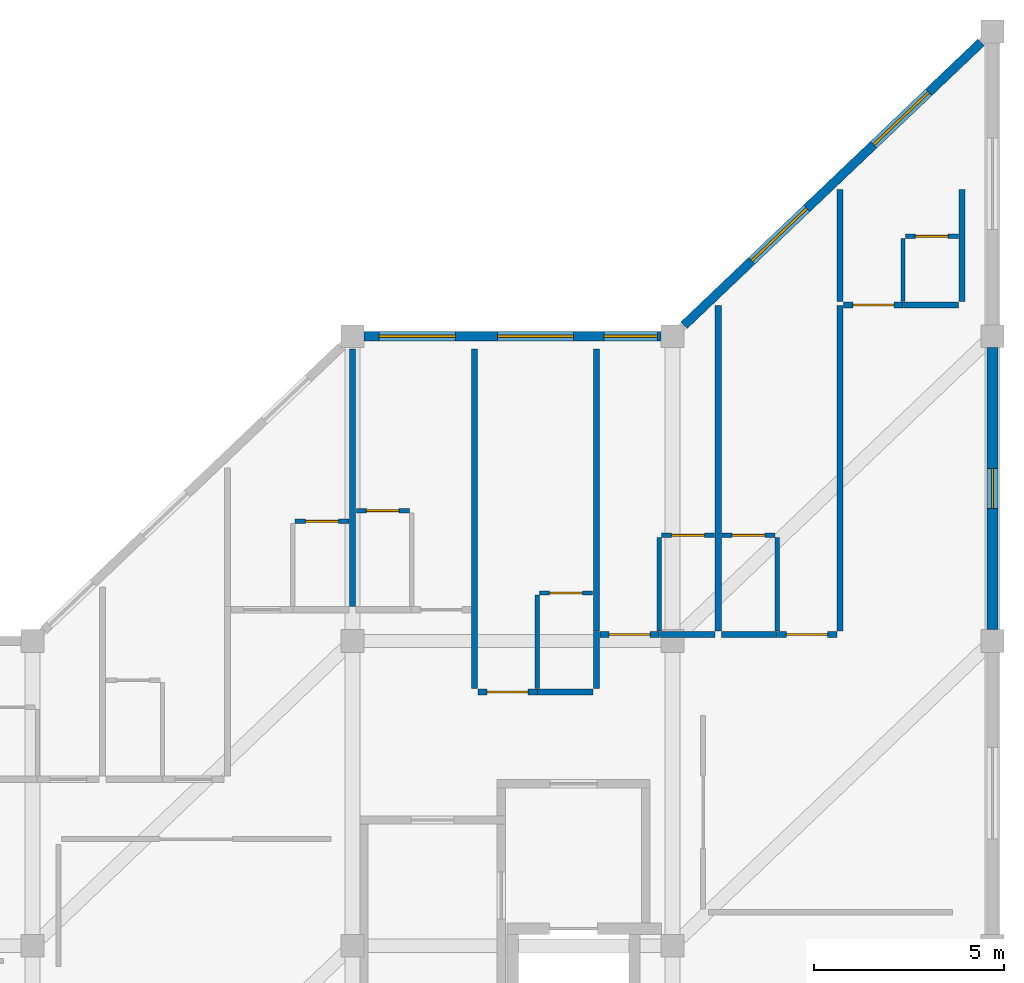
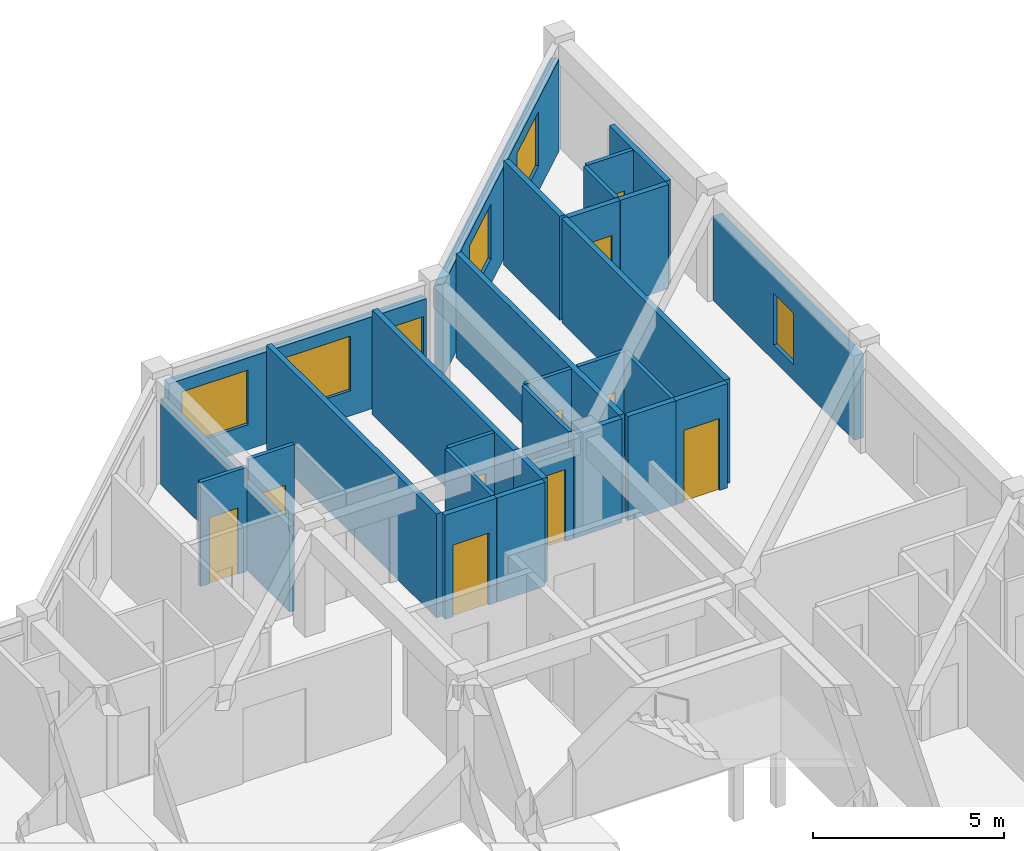
# One storey, part 11 of 14: 29 walls, 10 doors, 6 windows, 16 openings.
"""IFC4 building model written with IfcOpenShell, lengths in metres."""

from ifc_helpers import new_model, si_unit, direction, frame, frame_2d, origin, place, context, subcontext, project, spatial, rectangle, extrude, material, layer, layer_set, type_object, element, fill, save


model = new_model("IFC4")

# Units and contexts
model_context = context("Model", 3, precision=1e-05, world=origin(), true_north=direction((0.0, 1.0)))
body_context = subcontext(model_context, "Body", "Model", "MODEL_VIEW")
ifc_project = project(units=[si_unit("LENGTHUNIT", "METRE"), si_unit("AREAUNIT", "SQUARE_METRE"), si_unit("VOLUMEUNIT", "CUBIC_METRE"), si_unit("PLANEANGLEUNIT", "RADIAN"), si_unit("MASSUNIT", "GRAM", prefix="KILO")], contexts=[model_context])

# Site, building, storey
site_placement = place(None, origin())
site = spatial("IfcSite", under=ifc_project, at=site_placement, CompositionType="ELEMENT")
building_placement = place(site_placement, origin())
building = spatial("IfcBuilding", under=site, at=building_placement, Name="Naruveol Harbour Congress Hotel", CompositionType="ELEMENT")
storey_placement = place(building_placement, frame((0.0, 0.0, 39.60009765625)))
storey = spatial("IfcBuildingStorey", under=building, at=storey_placement, Name="L09", CompositionType="ELEMENT", Elevation=39.60009765625)

# Wall, opening, window
ifc_material_1 = material(Name="Precast concrete C40/50", Category="concrete")
ifc_layer_1 = layer(ifc_material_1, 0.280029296875)
ifc_layer_set_1 = layer_set([ifc_layer_1], Name="Precast concrete C40/50")
wall_type_1 = type_object("IfcWallType", Name="ARCHITECTURAL PRECAST FACADE WALL 280", PredefinedType="SOLIDWALL", material=ifc_layer_set_1)
wall_1_placement = place(storey_placement, frame((168.0, 39.699951171875, 0.0), z_axis=(0.0, 0.0, 1.0), x_axis=(0.0, -1.0, 0.0)))
wall_1 = element("IfcWall", 1, at=wall_1_placement, inside=storey, type_object=wall_type_1, Name="Hotel east gable wall L09 EW-280", PredefinedType="SOLIDWALL", context=body_context, shape_type="SweptSolid", body=[
    extrude(rectangle(XDim=7.39990234375, YDim=0.280029296875, at=frame_2d((3.699951171875, 0.0))), origin(), (0.0, 0.0, 1.0), 2.699951171875),
])
opening_1_placement = place(wall_1_placement, frame((3.175048828125, 0.0, 0.5)))
opening_1 = element("IfcOpeningElement", 2, at=opening_1_placement, cuts=wall_1, Name="Opening W-26", PredefinedType="OPENING", context=body_context, shape_type="SweptSolid", body=[
    extrude(rectangle(XDim=1.050048828125, YDim=1.64990234375, at=frame_2d((0.52490234375, 0.824951171875))), frame((0.0, 0.14990234375, 0.0), z_axis=(0.0, -1.0, 0.0), x_axis=(1.0, 0.0, 0.0)), (0.0, 0.0, 1.0), 0.300048828125),
])
ifc_material_2 = material(Name="Low-E Triple Glazing in Thermal Aluminium", Category="aluminium")
window_type_1 = type_object("IfcWindowType", Name="CORRIDOR END VIEW WINDOW 1050X1650", PartitioningType="SINGLE_PANEL", PredefinedType="WINDOW", material=ifc_material_2)
window_1_placement = place(opening_1_placement, origin())
window_1 = element("IfcWindow", 3, at=window_1_placement, inside=storey, type_object=window_type_1, Name="Window W-26 #472", OverallHeight=1.64990234375, OverallWidth=1.050048828125, PartitioningType="SINGLE_PANEL", PredefinedType="WINDOW", context=body_context, shape_type="SweptSolid", body=[
    extrude(rectangle(XDim=1.050048828125, YDim=1.64990234375, at=frame_2d((0.52490234375, 0.824951171875))), frame((0.0, 0.030029296875, 0.0), z_axis=(0.0, -1.0, 0.0), x_axis=(1.0, 0.0, 0.0)), (0.0, 0.0, 1.0), 0.06005859375),
])
fill(opening_1, window_1)

# Wall, opening, door
ifc_material_3 = material(Name="Moisture-Resistant Gypsum Partition", Category="gypsum")
ifc_layer_2 = layer(ifc_material_3, 0.114990234375)
ifc_layer_set_2 = layer_set([ifc_layer_2], Name="Moisture-Resistant Gypsum Partition")
wall_type_2 = type_object("IfcWallType", Name="BATHROOM MOISTURE PARTITION WALL 115", PredefinedType="PARTITIONING", material=ifc_layer_set_2)
wall_2_placement = place(storey_placement, frame((149.68994140625, 35.139892578125, 0.0), z_axis=(0.0, 0.0, 1.0), x_axis=(1.0, 0.0, 0.0)))
wall_2 = element("IfcWall", 4, at=wall_2_placement, inside=storey, type_object=wall_type_2, Name="Bathroom north wall 1075 PW-115", PredefinedType="PARTITIONING", context=body_context, shape_type="SweptSolid", body=[
    extrude(rectangle(XDim=1.41015625, YDim=0.114990234375, at=frame_2d((0.705078125, 0.0))), origin(), (0.0, 0.0, 1.0), 3.3349609375),
])
opening_2_placement = place(wall_2_placement, frame((0.27490234375, 0.0, 0.0)))
opening_2 = element("IfcOpeningElement", 5, at=opening_2_placement, cuts=wall_2, Name="Opening BD-RM1075", PredefinedType="OPENING", context=body_context, shape_type="SweptSolid", body=[
    extrude(rectangle(XDim=0.860107421875, YDim=2.1201171875, at=frame_2d((0.43017578125, 1.06005859375))), frame((0.0, 0.0673828125, 0.0), z_axis=(0.0, -1.0, 0.0), x_axis=(1.0, 0.0, 0.0)), (0.0, 0.0, 1.0), 0.135009765625),
])
ifc_material_4 = material(Name="Timber & Steel Acoustic Leaf", Category="steel")
door_type_1 = type_object("IfcDoorType", Name="GUEST BATHROOM DOOR 860X2120", OperationType="NOTDEFINED", PredefinedType="DOOR", material=ifc_material_4)
door_1_placement = place(opening_2_placement, origin())
door_1 = element("IfcDoor", 6, at=door_1_placement, inside=storey, type_object=door_type_1, Name="Bathroom Door 1075", OperationType="SINGLE_SWING_RIGHT", OverallHeight=2.1201171875, OverallWidth=0.860107421875, PredefinedType="DOOR", context=body_context, shape_type="SweptSolid", body=[
    extrude(rectangle(XDim=0.860107421875, YDim=2.1201171875, at=frame_2d((0.43017578125, 1.06005859375))), frame((0.0, 0.02490234375, 0.0), z_axis=(0.0, -1.0, 0.0), x_axis=(1.0, 0.0, 0.0)), (0.0, 0.0, 1.0), 0.050048828125),
])
fill(opening_2, door_1)

wall_3_placement = place(storey_placement, frame((151.300048828125, 35.419921875, 0.0), z_axis=(0.0, 0.0, 1.0), x_axis=(1.0, 0.0, 0.0)))
wall_3 = element("IfcWall", 7, at=wall_3_placement, inside=storey, type_object=wall_type_2, Name="Bathroom north wall 1076 PW-115", PredefinedType="PARTITIONING", context=body_context, shape_type="SweptSolid", body=[
    extrude(rectangle(XDim=1.389892578125, YDim=0.114990234375, at=frame_2d((0.69482421875, 0.0))), origin(), (0.0, 0.0, 1.0), 3.3349609375),
])
opening_3_placement = place(wall_3_placement, frame((0.264892578125, 0.0, 0.0)))
opening_3 = element("IfcOpeningElement", 8, at=opening_3_placement, cuts=wall_3, Name="Opening BD-RM1076", PredefinedType="OPENING", context=body_context, shape_type="SweptSolid", body=[
    extrude(rectangle(XDim=0.860107421875, YDim=2.1201171875, at=frame_2d((0.43017578125, 1.06005859375))), frame((0.0, 0.0673828125, 0.0), z_axis=(0.0, -1.0, 0.0), x_axis=(1.0, 0.0, 0.0)), (0.0, 0.0, 1.0), 0.135009765625),
])
door_2_placement = place(opening_3_placement, origin())
door_2 = element("IfcDoor", 9, at=door_2_placement, inside=storey, type_object=door_type_1, Name="Bathroom Door 1076", OperationType="SINGLE_SWING_RIGHT", OverallHeight=2.1201171875, OverallWidth=0.860107421875, PredefinedType="DOOR", context=body_context, shape_type="SweptSolid", body=[
    extrude(rectangle(XDim=0.860107421875, YDim=2.1201171875, at=frame_2d((0.43017578125, 1.06005859375))), frame((0.0, 0.02490234375, 0.0), z_axis=(0.0, -1.0, 0.0), x_axis=(1.0, 0.0, 0.0)), (0.0, 0.0, 1.0), 0.050048828125),
])
fill(opening_3, door_2)

# Wall
wall_4_placement = place(storey_placement, frame((156.050048828125, 30.75, 0.0), z_axis=(0.0, 0.0, 1.0), x_axis=(0.0, 1.0, 0.0)))
element("IfcWall", 10, at=wall_4_placement, inside=storey, type_object=wall_type_2, Name="Bathroom west wall 1077 PW-115", PredefinedType="PARTITIONING", context=body_context, shape_type="SweptSolid", body=[
    extrude(rectangle(XDim=2.449951171875, YDim=0.114990234375, at=frame_2d((1.22509765625, 0.0))), origin(), (0.0, 0.0, 1.0), 3.3349609375),
])

# Wall, opening, door
wall_5_placement = place(storey_placement, frame((156.110107421875, 33.260009765625, 0.0), z_axis=(0.0, 0.0, 1.0), x_axis=(1.0, 0.0, 0.0)))
wall_5 = element("IfcWall", 11, at=wall_5_placement, inside=storey, type_object=wall_type_2, Name="Bathroom north wall 1077 PW-115", PredefinedType="PARTITIONING", context=body_context, shape_type="SweptSolid", body=[
    extrude(rectangle(XDim=1.389892578125, YDim=0.114990234375, at=frame_2d((0.69482421875, 0.0))), origin(), (0.0, 0.0, 1.0), 3.3349609375),
])
opening_4_placement = place(wall_5_placement, frame((0.264892578125, 0.0, 0.0)))
opening_4 = element("IfcOpeningElement", 12, at=opening_4_placement, cuts=wall_5, Name="Opening BD-RM1077", PredefinedType="OPENING", context=body_context, shape_type="SweptSolid", body=[
    extrude(rectangle(XDim=0.860107421875, YDim=2.1201171875, at=frame_2d((0.43017578125, 1.06005859375))), frame((0.0, 0.0673828125, 0.0), z_axis=(0.0, -1.0, 0.0), x_axis=(1.0, 0.0, 0.0)), (0.0, 0.0, 1.0), 0.135009765625),
])
door_3_placement = place(opening_4_placement, origin())
door_3 = element("IfcDoor", 13, at=door_3_placement, inside=storey, type_object=door_type_1, Name="Bathroom Door 1077", OperationType="SINGLE_SWING_RIGHT", OverallHeight=2.1201171875, OverallWidth=0.860107421875, PredefinedType="DOOR", context=body_context, shape_type="SweptSolid", body=[
    extrude(rectangle(XDim=0.860107421875, YDim=2.1201171875, at=frame_2d((0.43017578125, 1.06005859375))), frame((0.0, 0.02490234375, 0.0), z_axis=(0.0, -1.0, 0.0), x_axis=(1.0, 0.0, 0.0)), (0.0, 0.0, 1.0), 0.050048828125),
])
fill(opening_4, door_3)

# Wall
wall_6_placement = place(storey_placement, frame((159.25, 32.260009765625, 0.0), z_axis=(0.0, 0.0, 1.0), x_axis=(0.0, 1.0, 0.0)))
element("IfcWall", 14, at=wall_6_placement, inside=storey, type_object=wall_type_2, Name="Bathroom west wall 1078 PW-115", PredefinedType="PARTITIONING", context=body_context, shape_type="SweptSolid", body=[
    extrude(rectangle(XDim=2.449951171875, YDim=0.114990234375, at=frame_2d((1.22509765625, 0.0))), origin(), (0.0, 0.0, 1.0), 3.3349609375),
])

# Wall, opening, door
wall_7_placement = place(storey_placement, frame((159.31005859375, 34.77001953125, 0.0), z_axis=(0.0, 0.0, 1.0), x_axis=(1.0, 0.0, 0.0)))
wall_7 = element("IfcWall", 15, at=wall_7_placement, inside=storey, type_object=wall_type_2, Name="Bathroom north wall 1078 PW-115", PredefinedType="PARTITIONING", context=body_context, shape_type="SweptSolid", body=[
    extrude(rectangle(XDim=1.389892578125, YDim=0.114990234375, at=frame_2d((0.69482421875, 0.0))), origin(), (0.0, 0.0, 1.0), 3.3349609375),
])
opening_5_placement = place(wall_7_placement, frame((0.264892578125, 0.0, 0.0)))
opening_5 = element("IfcOpeningElement", 16, at=opening_5_placement, cuts=wall_7, Name="Opening BD-RM1078", PredefinedType="OPENING", context=body_context, shape_type="SweptSolid", body=[
    extrude(rectangle(XDim=0.860107421875, YDim=2.1201171875, at=frame_2d((0.43017578125, 1.06005859375))), frame((0.0, 0.0673828125, 0.0), z_axis=(0.0, -1.0, 0.0), x_axis=(1.0, 0.0, 0.0)), (0.0, 0.0, 1.0), 0.135009765625),
])
door_4_placement = place(opening_5_placement, origin())
door_4 = element("IfcDoor", 17, at=door_4_placement, inside=storey, type_object=door_type_1, Name="Bathroom Door 1078", OperationType="SINGLE_SWING_RIGHT", OverallHeight=2.1201171875, OverallWidth=0.860107421875, PredefinedType="DOOR", context=body_context, shape_type="SweptSolid", body=[
    extrude(rectangle(XDim=0.860107421875, YDim=2.1201171875, at=frame_2d((0.43017578125, 1.06005859375))), frame((0.0, 0.02490234375, 0.0), z_axis=(0.0, -1.0, 0.0), x_axis=(1.0, 0.0, 0.0)), (0.0, 0.0, 1.0), 0.050048828125),
])
fill(opening_5, door_4)

# Wall
wall_8_placement = place(storey_placement, frame((162.35009765625, 32.260009765625, 0.0), z_axis=(0.0, 0.0, 1.0), x_axis=(0.0, 1.0, 0.0)))
element("IfcWall", 18, at=wall_8_placement, inside=storey, type_object=wall_type_2, Name="Bathroom east wall 1079 PW-115", PredefinedType="PARTITIONING", context=body_context, shape_type="SweptSolid", body=[
    extrude(rectangle(XDim=2.449951171875, YDim=0.114990234375, at=frame_2d((1.22509765625, 0.0))), origin(), (0.0, 0.0, 1.0), 3.3349609375),
])

# Wall, opening, door
wall_9_placement = place(storey_placement, frame((160.89990234375, 34.77001953125, 0.0), z_axis=(0.0, 0.0, 1.0), x_axis=(1.0, 0.0, 0.0)))
wall_9 = element("IfcWall", 19, at=wall_9_placement, inside=storey, type_object=wall_type_2, Name="Bathroom north wall 1079 PW-115", PredefinedType="PARTITIONING", context=body_context, shape_type="SweptSolid", body=[
    extrude(rectangle(XDim=1.39013671875, YDim=0.114990234375, at=frame_2d((0.695068359375, 0.0))), origin(), (0.0, 0.0, 1.0), 3.3349609375),
])
opening_6_placement = place(wall_9_placement, frame((0.264892578125, 0.0, 0.0)))
opening_6 = element("IfcOpeningElement", 20, at=opening_6_placement, cuts=wall_9, Name="Opening BD-RM1079", PredefinedType="OPENING", context=body_context, shape_type="SweptSolid", body=[
    extrude(rectangle(XDim=0.860107421875, YDim=2.1201171875, at=frame_2d((0.43017578125, 1.06005859375))), frame((0.0, 0.0673828125, 0.0), z_axis=(0.0, -1.0, 0.0), x_axis=(1.0, 0.0, 0.0)), (0.0, 0.0, 1.0), 0.135009765625),
])
door_5_placement = place(opening_6_placement, origin())
door_5 = element("IfcDoor", 21, at=door_5_placement, inside=storey, type_object=door_type_1, Name="Bathroom Door 1079", OperationType="SINGLE_SWING_RIGHT", OverallHeight=2.1201171875, OverallWidth=0.860107421875, PredefinedType="DOOR", context=body_context, shape_type="SweptSolid", body=[
    extrude(rectangle(XDim=0.860107421875, YDim=2.1201171875, at=frame_2d((0.43017578125, 1.06005859375))), frame((0.0, 0.02490234375, 0.0), z_axis=(0.0, -1.0, 0.0), x_axis=(1.0, 0.0, 0.0)), (0.0, 0.0, 1.0), 0.050048828125),
])
fill(opening_6, door_5)

# Wall
wall_10_placement = place(storey_placement, frame((165.64990234375, 40.909912109375, 0.0), z_axis=(0.0, 0.0, 1.0), x_axis=(0.0, 1.0, 0.0)))
element("IfcWall", 22, at=wall_10_placement, inside=storey, type_object=wall_type_2, Name="Bathroom west wall 1080 PW-115", PredefinedType="PARTITIONING", context=body_context, shape_type="SweptSolid", body=[
    extrude(rectangle(XDim=1.650146484375, YDim=0.114990234375, at=frame_2d((0.8251953125, 0.0))), origin(), (0.0, 0.0, 1.0), 3.3349609375),
])

# Wall, opening, door
wall_11_placement = place(storey_placement, frame((165.7099609375, 42.6201171875, 0.0), z_axis=(0.0, 0.0, 1.0), x_axis=(1.0, 0.0, 0.0)))
wall_11 = element("IfcWall", 23, at=wall_11_placement, inside=storey, type_object=wall_type_2, Name="Bathroom north wall 1080 PW-115", PredefinedType="PARTITIONING", context=body_context, shape_type="SweptSolid", body=[
    extrude(rectangle(XDim=1.39013671875, YDim=0.114990234375, at=frame_2d((0.695068359375, 0.0))), origin(), (0.0, 0.0, 1.0), 3.3349609375),
])
opening_7_placement = place(wall_11_placement, frame((0.264892578125, 0.0, 0.0)))
opening_7 = element("IfcOpeningElement", 24, at=opening_7_placement, cuts=wall_11, Name="Opening BD-RM1080", PredefinedType="OPENING", context=body_context, shape_type="SweptSolid", body=[
    extrude(rectangle(XDim=0.860107421875, YDim=2.1201171875, at=frame_2d((0.43017578125, 1.06005859375))), frame((0.0, 0.0673828125, 0.0), z_axis=(0.0, -1.0, 0.0), x_axis=(1.0, 0.0, 0.0)), (0.0, 0.0, 1.0), 0.135009765625),
])
door_6_placement = place(opening_7_placement, origin())
door_6 = element("IfcDoor", 25, at=door_6_placement, inside=storey, type_object=door_type_1, Name="Bathroom Door 1080", OperationType="SINGLE_SWING_RIGHT", OverallHeight=2.1201171875, OverallWidth=0.860107421875, PredefinedType="DOOR", context=body_context, shape_type="SweptSolid", body=[
    extrude(rectangle(XDim=0.860107421875, YDim=2.1201171875, at=frame_2d((0.43017578125, 1.06005859375))), frame((0.0, 0.02490234375, 0.0), z_axis=(0.0, -1.0, 0.0), x_axis=(1.0, 0.0, 0.0)), (0.0, 0.0, 1.0), 0.050048828125),
])
fill(opening_7, door_6)

# Wall
ifc_material_5 = material(Name="Autoclaved Aerated Concrete Block", Category="concrete")
ifc_layer_3 = layer(ifc_material_5, 0.159912109375)
ifc_layer_set_3 = layer_set([ifc_layer_3], Name="Autoclaved Aerated Concrete Block")
wall_type_3 = type_object("IfcWallType", Name="HOTEL PARTY AND CORRIDOR WALL 160 EI60", PredefinedType="PARTITIONING", material=ifc_layer_set_3)
wall_12_placement = place(storey_placement, frame((151.199951171875, 32.909912109375, 0.0), z_axis=(0.0, 0.0, 1.0), x_axis=(0.0, 1.0, 0.0)))
element("IfcWall", 26, at=wall_12_placement, inside=storey, type_object=wall_type_3, Name="Hotel party wall 1076 PW-160", PredefinedType="PARTITIONING", context=body_context, shape_type="SweptSolid", body=[
    extrude(rectangle(XDim=6.75, YDim=0.159912109375, at=frame_2d((3.375, 0.0))), origin(), (0.0, 0.0, 1.0), 2.739990234375),
])

# Wall, opening, door
wall_13_placement = place(storey_placement, frame((154.489990234375, 30.659912109375, 0.0), z_axis=(0.0, 0.0, 1.0), x_axis=(1.0, 0.0, 0.0)))
wall_13 = element("IfcWall", 27, at=wall_13_placement, inside=storey, type_object=wall_type_3, Name="Corridor entry wall 1077 PW-160", PredefinedType="PARTITIONING", context=body_context, shape_type="SweptSolid", body=[
    extrude(rectangle(XDim=1.56005859375, YDim=0.159912109375, at=frame_2d((0.780029296875, 0.0))), origin(), (0.0, 0.0, 1.0), 3.3349609375),
])
opening_8_placement = place(wall_13_placement, frame((0.239990234375, 0.0, 0.0)))
opening_8 = element("IfcOpeningElement", 28, at=opening_8_placement, cuts=wall_13, Name="Opening FD-RM1077", PredefinedType="OPENING", context=body_context, shape_type="SweptSolid", body=[
    extrude(rectangle(XDim=1.080078125, YDim=2.300048828125, at=frame_2d((0.5400390625, 1.14990234375))), frame((0.0, 0.08984375, 0.0), z_axis=(0.0, -1.0, 0.0), x_axis=(1.0, 0.0, 0.0)), (0.0, 0.0, 1.0), 0.179931640625),
])
ifc_material_6 = material(Name="Timber & Steel Acoustic Leaf", Category="steel")
door_type_2 = type_object("IfcDoorType", Name="SUITE ENTRANCE FIRE DOOR 1080X2300", OperationType="NOTDEFINED", PredefinedType="DOOR", material=ifc_material_6)
door_7_placement = place(opening_8_placement, origin())
door_7 = element("IfcDoor", 29, at=door_7_placement, inside=storey, type_object=door_type_2, Name="Hotel Room Door 1077", OperationType="SINGLE_SWING_LEFT", OverallHeight=2.300048828125, OverallWidth=1.080078125, PredefinedType="DOOR", context=body_context, shape_type="SweptSolid", body=[
    extrude(rectangle(XDim=1.080078125, YDim=2.300048828125, at=frame_2d((0.5400390625, 1.14990234375))), frame((0.0, 0.02490234375, 0.0), z_axis=(0.0, -1.0, 0.0), x_axis=(1.0, 0.0, 0.0)), (0.0, 0.0, 1.0), 0.050048828125),
])
fill(opening_8, door_7)

# Walls
wall_14_placement = place(storey_placement, frame((156.06005859375, 30.659912109375, 0.0), z_axis=(0.0, 0.0, 1.0), x_axis=(1.0, 0.0, 0.0)))
element("IfcWall", 30, at=wall_14_placement, inside=storey, type_object=wall_type_3, Name="Corridor wall 1077B PW-160", PredefinedType="PARTITIONING", context=body_context, shape_type="SweptSolid", body=[
    extrude(rectangle(XDim=1.449951171875, YDim=0.159912109375, at=frame_2d((0.72509765625, 0.0))), origin(), (0.0, 0.0, 1.0), 3.3349609375),
])
wall_15_placement = place(storey_placement, frame((154.39990234375, 30.75, 0.0), z_axis=(0.0, 0.0, 1.0), x_axis=(0.0, 1.0, 0.0)))
element("IfcWall", 31, at=wall_15_placement, inside=storey, type_object=wall_type_3, Name="Hotel party wall 1077 PW-160", PredefinedType="PARTITIONING", context=body_context, shape_type="SweptSolid", body=[
    extrude(rectangle(XDim=8.909912109375, YDim=0.159912109375, at=frame_2d((4.455078125, 0.0))), origin(), (0.0, 0.0, 1.0), 3.3349609375),
])
wall_16_placement = place(storey_placement, frame((157.60009765625, 30.75, 0.0), z_axis=(0.0, 0.0, 1.0), x_axis=(0.0, 1.0, 0.0)))
element("IfcWall", 32, at=wall_16_placement, inside=storey, type_object=wall_type_3, Name="Hotel end party wall 1077 PW-160", PredefinedType="PARTITIONING", context=body_context, shape_type="SweptSolid", body=[
    extrude(rectangle(XDim=1.5, YDim=0.159912109375, at=frame_2d((0.75, 0.0))), origin(), (0.0, 0.0, 1.0), 3.3349609375),
])

# Wall, opening, door
wall_17_placement = place(storey_placement, frame((157.68994140625, 32.169921875, 0.0), z_axis=(0.0, 0.0, 1.0), x_axis=(1.0, 0.0, 0.0)))
wall_17 = element("IfcWall", 33, at=wall_17_placement, inside=storey, type_object=wall_type_3, Name="Corridor entry wall 1078 PW-160", PredefinedType="PARTITIONING", context=body_context, shape_type="SweptSolid", body=[
    extrude(rectangle(XDim=1.56005859375, YDim=0.159912109375, at=frame_2d((0.780029296875, 0.0))), origin(), (0.0, 0.0, 1.0), 2.83984375),
])
opening_9_placement = place(wall_17_placement, frame((0.239990234375, 0.0, 0.0)))
opening_9 = element("IfcOpeningElement", 34, at=opening_9_placement, cuts=wall_17, Name="Opening FD-RM1078", PredefinedType="OPENING", context=body_context, shape_type="SweptSolid", body=[
    extrude(rectangle(XDim=1.080078125, YDim=2.300048828125, at=frame_2d((0.5400390625, 1.14990234375))), frame((0.0, 0.08984375, 0.0), z_axis=(0.0, -1.0, 0.0), x_axis=(1.0, 0.0, 0.0)), (0.0, 0.0, 1.0), 0.179931640625),
])
door_8_placement = place(opening_9_placement, origin())
door_8 = element("IfcDoor", 35, at=door_8_placement, inside=storey, type_object=door_type_2, Name="Hotel Room Door 1078", OperationType="SINGLE_SWING_LEFT", OverallHeight=2.300048828125, OverallWidth=1.080078125, PredefinedType="DOOR", context=body_context, shape_type="SweptSolid", body=[
    extrude(rectangle(XDim=1.080078125, YDim=2.300048828125, at=frame_2d((0.5400390625, 1.14990234375))), frame((0.0, 0.02490234375, 0.0), z_axis=(0.0, -1.0, 0.0), x_axis=(1.0, 0.0, 0.0)), (0.0, 0.0, 1.0), 0.050048828125),
])
fill(opening_9, door_8)

# Walls
wall_18_placement = place(storey_placement, frame((159.260009765625, 32.169921875, 0.0), z_axis=(0.0, 0.0, 1.0), x_axis=(1.0, 0.0, 0.0)))
element("IfcWall", 36, at=wall_18_placement, inside=storey, type_object=wall_type_3, Name="Corridor wall 1078B PW-160", PredefinedType="PARTITIONING", context=body_context, shape_type="SweptSolid", body=[
    extrude(rectangle(XDim=1.449951171875, YDim=0.159912109375, at=frame_2d((0.72509765625, 0.0))), origin(), (0.0, 0.0, 1.0), 3.3349609375),
])
wall_19_placement = place(storey_placement, frame((157.60009765625, 32.260009765625, 0.0), z_axis=(0.0, 0.0, 1.0), x_axis=(0.0, 1.0, 0.0)))
element("IfcWall", 37, at=wall_19_placement, inside=storey, type_object=wall_type_3, Name="Hotel party wall 1078 PW-160", PredefinedType="PARTITIONING", context=body_context, shape_type="SweptSolid", body=[
    extrude(rectangle(XDim=7.39990234375, YDim=0.159912109375, at=frame_2d((3.699951171875, 0.0))), origin(), (0.0, 0.0, 1.0), 3.3349609375),
])
wall_20_placement = place(storey_placement, frame((160.889892578125, 32.169921875, 0.0), z_axis=(0.0, 0.0, 1.0), x_axis=(1.0, 0.0, 0.0)))
element("IfcWall", 38, at=wall_20_placement, inside=storey, type_object=wall_type_3, Name="Corridor wall 1079B PW-160", PredefinedType="PARTITIONING", context=body_context, shape_type="SweptSolid", body=[
    extrude(rectangle(XDim=1.4501953125, YDim=0.159912109375, at=frame_2d((0.72509765625, 0.0))), origin(), (0.0, 0.0, 1.0), 3.3349609375),
])

# Wall, opening, door
wall_21_placement = place(storey_placement, frame((162.35009765625, 32.169921875, 0.0), z_axis=(0.0, 0.0, 1.0), x_axis=(1.0, 0.0, 0.0)))
wall_21 = element("IfcWall", 39, at=wall_21_placement, inside=storey, type_object=wall_type_3, Name="Corridor entry wall 1079 PW-160", PredefinedType="PARTITIONING", context=body_context, shape_type="SweptSolid", body=[
    extrude(rectangle(XDim=1.559814453125, YDim=0.159912109375, at=frame_2d((0.77978515625, 0.0))), origin(), (0.0, 0.0, 1.0), 3.3349609375),
])
opening_10_placement = place(wall_21_placement, frame((0.239990234375, 0.0, 0.0)))
opening_10 = element("IfcOpeningElement", 40, at=opening_10_placement, cuts=wall_21, Name="Opening FD-RM1079", PredefinedType="OPENING", context=body_context, shape_type="SweptSolid", body=[
    extrude(rectangle(XDim=1.080078125, YDim=2.300048828125, at=frame_2d((0.5400390625, 1.14990234375))), frame((0.0, 0.08984375, 0.0), z_axis=(0.0, -1.0, 0.0), x_axis=(1.0, 0.0, 0.0)), (0.0, 0.0, 1.0), 0.179931640625),
])
door_9_placement = place(opening_10_placement, origin())
door_9 = element("IfcDoor", 41, at=door_9_placement, inside=storey, type_object=door_type_2, Name="Hotel Room Door 1079", OperationType="SINGLE_SWING_LEFT", OverallHeight=2.300048828125, OverallWidth=1.080078125, PredefinedType="DOOR", context=body_context, shape_type="SweptSolid", body=[
    extrude(rectangle(XDim=1.080078125, YDim=2.300048828125, at=frame_2d((0.5400390625, 1.14990234375))), frame((0.0, 0.02490234375, 0.0), z_axis=(0.0, -1.0, 0.0), x_axis=(1.0, 0.0, 0.0)), (0.0, 0.0, 1.0), 0.050048828125),
])
fill(opening_10, door_9)

# Walls
for number, where, z_axis, x_axis, name in (
    (42, (160.800048828125, 32.260009765625, 0.0), (0.0, 0.0, 1.0), (0.0, 1.0, 0.0), "Hotel party wall 1079 PW-160"),
    (43, (164.0, 32.260009765625, 0.0), (0.0, 0.0, 1.0), (0.0, 1.0, 0.0), "Hotel end party wall 1079 PW-160"),
):
    element("IfcWall", number, at=place(storey_placement, frame(where, z_axis=z_axis, x_axis=x_axis)), inside=storey, type_object=wall_type_3, Name=name, PredefinedType="PARTITIONING", context=body_context, shape_type="SweptSolid", body=[
        extrude(rectangle(XDim=8.5400390625, YDim=0.159912109375, at=frame_2d((4.27001953125, 0.0))), origin(), (0.0, 0.0, 1.0), 3.3349609375),
    ])

# Wall, opening, door
wall_22_placement = place(storey_placement, frame((164.090087890625, 40.820068359375, 0.0), z_axis=(0.0, 0.0, 1.0), x_axis=(1.0, 0.0, 0.0)))
wall_22 = element("IfcWall", 44, at=wall_22_placement, inside=storey, type_object=wall_type_3, Name="Corridor entry wall 1080 PW-160", PredefinedType="PARTITIONING", context=body_context, shape_type="SweptSolid", body=[
    extrude(rectangle(XDim=1.559814453125, YDim=0.159912109375, at=frame_2d((0.77978515625, 0.0))), origin(), (0.0, 0.0, 1.0), 3.3349609375),
])
opening_11_placement = place(wall_22_placement, frame((0.239990234375, 0.0, 0.0)))
opening_11 = element("IfcOpeningElement", 45, at=opening_11_placement, cuts=wall_22, Name="Opening FD-RM1080", PredefinedType="OPENING", context=body_context, shape_type="SweptSolid", body=[
    extrude(rectangle(XDim=1.080078125, YDim=2.300048828125, at=frame_2d((0.5400390625, 1.14990234375))), frame((0.0, 0.08984375, 0.0), z_axis=(0.0, -1.0, 0.0), x_axis=(1.0, 0.0, 0.0)), (0.0, 0.0, 1.0), 0.179931640625),
])
door_10_placement = place(opening_11_placement, origin())
door_10 = element("IfcDoor", 46, at=door_10_placement, inside=storey, type_object=door_type_2, Name="Hotel Room Door 1080", OperationType="SINGLE_SWING_LEFT", OverallHeight=2.300048828125, OverallWidth=1.080078125, PredefinedType="DOOR", context=body_context, shape_type="SweptSolid", body=[
    extrude(rectangle(XDim=1.080078125, YDim=2.300048828125, at=frame_2d((0.5400390625, 1.14990234375))), frame((0.0, 0.02490234375, 0.0), z_axis=(0.0, -1.0, 0.0), x_axis=(1.0, 0.0, 0.0)), (0.0, 0.0, 1.0), 0.050048828125),
])
fill(opening_11, door_10)

# Walls
wall_23_placement = place(storey_placement, frame((165.659912109375, 40.820068359375, 0.0), z_axis=(0.0, 0.0, 1.0), x_axis=(1.0, 0.0, 0.0)))
element("IfcWall", 47, at=wall_23_placement, inside=storey, type_object=wall_type_3, Name="Corridor wall 1080B PW-160", PredefinedType="PARTITIONING", context=body_context, shape_type="SweptSolid", body=[
    extrude(rectangle(XDim=1.4501953125, YDim=0.159912109375, at=frame_2d((0.72509765625, 0.0))), origin(), (0.0, 0.0, 1.0), 3.3349609375),
])
for number, where, z_axis, x_axis, name in (
    (48, (164.0, 40.909912109375, 0.0), (0.0, 0.0, 1.0), (0.0, 1.0, 0.0), "Hotel party wall 1080 PW-160"),
    (49, (167.199951171875, 40.909912109375, 0.0), (0.0, 0.0, 1.0), (0.0, 1.0, 0.0), "Hotel end party wall 1080 PW-160"),
):
    element("IfcWall", number, at=place(storey_placement, frame(where, z_axis=z_axis, x_axis=x_axis)), inside=storey, type_object=wall_type_3, Name=name, PredefinedType="PARTITIONING", context=body_context, shape_type="SweptSolid", body=[
        extrude(rectangle(XDim=2.940185546875, YDim=0.159912109375, at=frame_2d((1.47021484375, 0.0))), origin(), (0.0, 0.0, 1.0), 3.3349609375),
    ])

# Wall, openings, windows
ifc_material_7 = material(Name="Concrete C40/50", Category="concrete")
ifc_layer_4 = layer(ifc_material_7, 0.239990234375)
ifc_layer_set_4 = layer_set([ifc_layer_4], Name="Concrete C40/50")
wall_type_4 = type_object("IfcWallType", Name="INSULATED HOTEL SPANDREL WALL 240", PredefinedType="SOLIDWALL", material=ifc_layer_set_4)
wall_24_placement = place(storey_placement, frame((151.5, 40.0, 0.0), z_axis=(0.0, 0.0, 1.0), x_axis=(1.0, 0.0, 0.0)))
wall_24 = element("IfcWall", 50, at=wall_24_placement, inside=storey, type_object=wall_type_4, Name="Hotel north bay wall L09 EW-240", PredefinedType="SOLIDWALL", context=body_context, shape_type="SweptSolid", body=[
    extrude(rectangle(XDim=7.800048828125, YDim=0.239990234375, at=frame_2d((3.89990234375, 0.0))), origin(), (0.0, 0.0, 1.0), 2.93994140625),
])
opening_12_placement = place(wall_24_placement, frame((0.39990234375, 0.0, 0.800048828125)))
opening_12 = element("IfcOpeningElement", 51, at=opening_12_placement, cuts=wall_24, Name="Opening W-05", PredefinedType="OPENING", context=body_context, shape_type="SweptSolid", body=[
    extrude(rectangle(XDim=2.0, YDim=1.75, at=frame_2d((1.0, 0.875))), frame((0.0, 0.1298828125, 0.0), z_axis=(0.0, -1.0, 0.0), x_axis=(1.0, 0.0, 0.0)), (0.0, 0.0, 1.0), 0.260009765625),
])
opening_13_placement = place(wall_24_placement, frame((3.5, 0.0, 0.800048828125)))
opening_13 = element("IfcOpeningElement", 52, at=opening_13_placement, cuts=wall_24, Name="Opening W-05", PredefinedType="OPENING", context=body_context, shape_type="SweptSolid", body=[
    extrude(rectangle(XDim=2.0, YDim=1.75, at=frame_2d((1.0, 0.875))), frame((0.0, 0.1298828125, 0.0), z_axis=(0.0, -1.0, 0.0), x_axis=(1.0, 0.0, 0.0)), (0.0, 0.0, 1.0), 0.260009765625),
])
opening_14_placement = place(wall_24_placement, frame((6.300048828125, 0.0, 0.800048828125)))
opening_14 = element("IfcOpeningElement", 53, at=opening_14_placement, cuts=wall_24, Name="Opening W-02", PredefinedType="OPENING", context=body_context, shape_type="SweptSolid", body=[
    extrude(rectangle(XDim=1.39990234375, YDim=1.60009765625, at=frame_2d((0.699951171875, 0.800048828125))), frame((0.0, 0.1298828125, 0.0), z_axis=(0.0, -1.0, 0.0), x_axis=(1.0, 0.0, 0.0)), (0.0, 0.0, 1.0), 0.260009765625),
])
ifc_material_8 = material(Name="Low-E Triple Glazing in Thermal Aluminium", Category="aluminium")
window_type_2 = type_object("IfcWindowType", Name="GARDEN SUITE WINDOW 2000X1750", PartitioningType="DOUBLE_PANEL_VERTICAL", PredefinedType="WINDOW", material=ifc_material_8)
window_2_placement = place(opening_12_placement, origin())
window_2 = element("IfcWindow", 54, at=window_2_placement, inside=storey, type_object=window_type_2, Name="Window W-05 #465", OverallHeight=1.75, OverallWidth=2.0, PartitioningType="DOUBLE_PANEL_VERTICAL", PredefinedType="WINDOW", context=body_context, shape_type="SweptSolid", body=[
    extrude(rectangle(XDim=2.0, YDim=1.75, at=frame_2d((1.0, 0.875))), frame((0.0, 0.030029296875, 0.0), z_axis=(0.0, -1.0, 0.0), x_axis=(1.0, 0.0, 0.0)), (0.0, 0.0, 1.0), 0.06005859375),
])
fill(opening_12, window_2)
window_3_placement = place(opening_13_placement, origin())
window_3 = element("IfcWindow", 55, at=window_3_placement, inside=storey, type_object=window_type_2, Name="Window W-05 #466", OverallHeight=1.75, OverallWidth=2.0, PartitioningType="DOUBLE_PANEL_VERTICAL", PredefinedType="WINDOW", context=body_context, shape_type="SweptSolid", body=[
    extrude(rectangle(XDim=2.0, YDim=1.75, at=frame_2d((1.0, 0.875))), frame((0.0, 0.030029296875, 0.0), z_axis=(0.0, -1.0, 0.0), x_axis=(1.0, 0.0, 0.0)), (0.0, 0.0, 1.0), 0.06005859375),
])
fill(opening_13, window_3)
ifc_material_9 = material(Name="Low-E Triple Glazing in Thermal Aluminium", Category="aluminium")
window_type_3 = type_object("IfcWindowType", Name="GUEST ROOM HARBOUR WINDOW 1400X1600", PartitioningType="SINGLE_PANEL", PredefinedType="WINDOW", material=ifc_material_9)
window_4_placement = place(opening_14_placement, origin())
window_4 = element("IfcWindow", 56, at=window_4_placement, inside=storey, type_object=window_type_3, Name="Window W-02 #467", OverallHeight=1.60009765625, OverallWidth=1.39990234375, PartitioningType="SINGLE_PANEL", PredefinedType="WINDOW", context=body_context, shape_type="SweptSolid", body=[
    extrude(rectangle(XDim=1.39990234375, YDim=1.60009765625, at=frame_2d((0.699951171875, 0.800048828125))), frame((0.0, 0.030029296875, 0.0), z_axis=(0.0, -1.0, 0.0), x_axis=(1.0, 0.0, 0.0)), (0.0, 0.0, 1.0), 0.06005859375),
])
fill(opening_14, window_4)

wall_25_placement = place(storey_placement, frame((159.89990234375, 40.285888671875, 0.0), z_axis=(0.0, 0.0, 1.0), x_axis=(0.724156257633, 0.689635928973, 0.0)))
wall_25 = element("IfcWall", 57, at=wall_25_placement, inside=storey, type_object=wall_type_4, Name="Hotel north bay wall L09 EW-240", PredefinedType="SOLIDWALL", context=body_context, shape_type="SweptSolid", body=[
    extrude(rectangle(XDim=10.771240234375, YDim=0.239990234375, at=frame_2d((5.3857421875, 0.0))), origin(), (0.0, 0.0, 1.0), 2.93994140625),
])
opening_15_placement = place(wall_25_placement, frame((2.451904296875, 0.0, 0.800048828125)))
opening_15 = element("IfcOpeningElement", 58, at=opening_15_placement, cuts=wall_25, Name="Opening W-05", PredefinedType="OPENING", context=body_context, shape_type="SweptSolid", body=[
    extrude(rectangle(XDim=2.0, YDim=1.75, at=frame_2d((1.0, 0.875))), frame((0.0, 0.1298828125, 0.0), z_axis=(0.0, -1.0, 0.0), x_axis=(1.0, 0.0, 0.0)), (0.0, 0.0, 1.0), 0.260009765625),
])
opening_16_placement = place(wall_25_placement, frame((6.87109375, 0.0, 0.800048828125)))
opening_16 = element("IfcOpeningElement", 59, at=opening_16_placement, cuts=wall_25, Name="Opening W-05", PredefinedType="OPENING", context=body_context, shape_type="SweptSolid", body=[
    extrude(rectangle(XDim=2.0, YDim=1.75, at=frame_2d((1.0, 0.875))), frame((0.0, 0.1298828125, 0.0), z_axis=(0.0, -1.0, 0.0), x_axis=(1.0, 0.0, 0.0)), (0.0, 0.0, 1.0), 0.260009765625),
])
window_5_placement = place(opening_15_placement, origin())
window_5 = element("IfcWindow", 60, at=window_5_placement, inside=storey, type_object=window_type_2, Name="Window W-05 #469", OverallHeight=1.75, OverallWidth=2.0, PartitioningType="DOUBLE_PANEL_VERTICAL", PredefinedType="WINDOW", context=body_context, shape_type="SweptSolid", body=[
    extrude(rectangle(XDim=2.0, YDim=1.75, at=frame_2d((1.0, 0.875))), frame((0.0, 0.030029296875, 0.0), z_axis=(0.0, -1.0, 0.0), x_axis=(1.0, 0.0, 0.0)), (0.0, 0.0, 1.0), 0.06005859375),
])
fill(opening_15, window_5)
window_6_placement = place(opening_16_placement, origin())
window_6 = element("IfcWindow", 61, at=window_6_placement, inside=storey, type_object=window_type_2, Name="Window W-05 #470", OverallHeight=1.75, OverallWidth=2.0, PartitioningType="DOUBLE_PANEL_VERTICAL", PredefinedType="WINDOW", context=body_context, shape_type="SweptSolid", body=[
    extrude(rectangle(XDim=2.0, YDim=1.75, at=frame_2d((1.0, 0.875))), frame((0.0, 0.030029296875, 0.0), z_axis=(0.0, -1.0, 0.0), x_axis=(1.0, 0.0, 0.0)), (0.0, 0.0, 1.0), 0.06005859375),
])
fill(opening_16, window_6)

save(model, "model.ifc")
